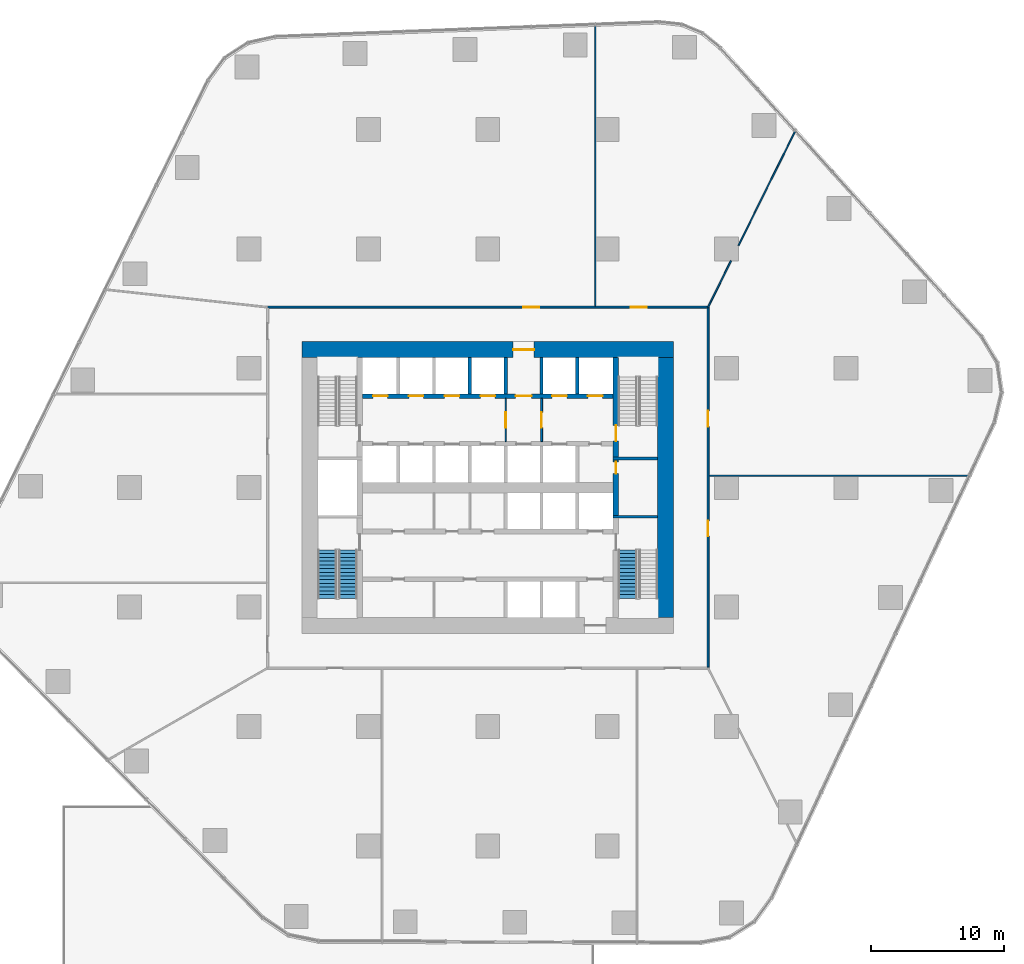
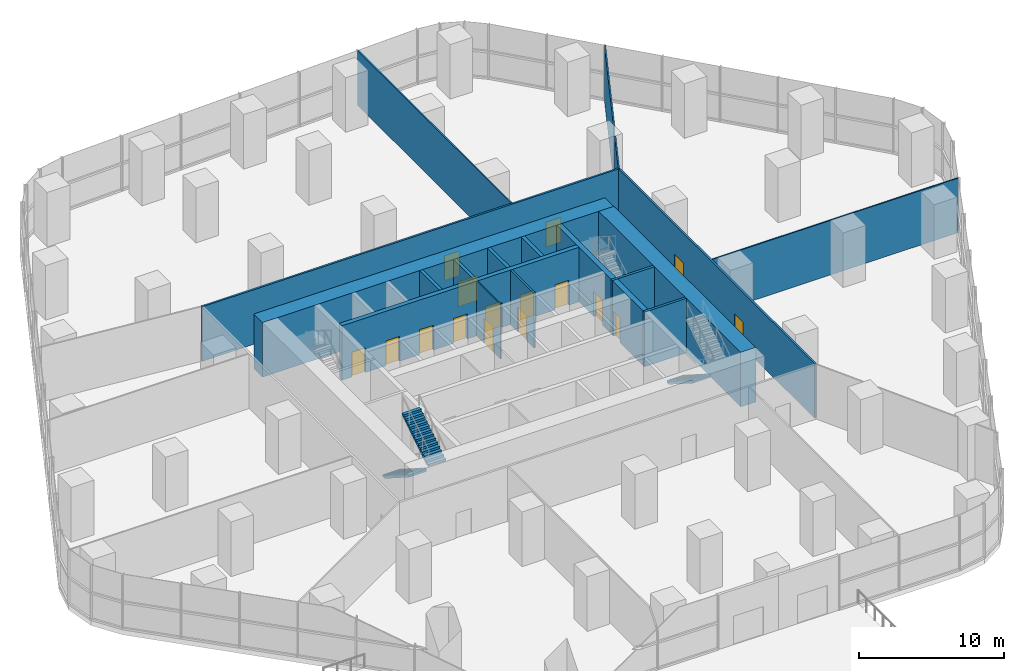
# One storey, part 12 of 15: 19 walls, 16 doors, 3 stair flights, 16 openings, 2 elements without a shape of their own.
"""IFC4 building model written with IfcOpenShell, lengths in metres."""

from ifc_helpers import new_model, si_unit, direction, frame, frame_2d, origin, place, context, subcontext, project, spatial, polyline, rectangle, outline, extrude, material, layer, layer_set, type_object, element, fill, aggregate, save


model = new_model("IFC4")

# Units and contexts
model_context = context("Model", 3, precision=1e-05, world=origin(), true_north=direction((0.0, 1.0)))
body_context = subcontext(model_context, "Body", "Model", "MODEL_VIEW")
ifc_project = project(units=[si_unit("LENGTHUNIT", "METRE"), si_unit("AREAUNIT", "SQUARE_METRE"), si_unit("VOLUMEUNIT", "CUBIC_METRE"), si_unit("PLANEANGLEUNIT", "RADIAN"), si_unit("MASSUNIT", "GRAM", prefix="KILO")], contexts=[model_context])

# Site, building, storey
site_placement = place(None, origin())
site = spatial("IfcSite", under=ifc_project, at=site_placement, CompositionType="ELEMENT")
building_placement = place(site_placement, origin())
building = spatial("IfcBuilding", under=site, at=building_placement, Name="Dongbaek Canopy Tower", CompositionType="ELEMENT")
storey_placement = place(building_placement, frame((0.0, 0.0, 33.0)))
storey = spatial("IfcBuildingStorey", under=building, at=storey_placement, Name="L04", CompositionType="ELEMENT", Elevation=33.0)

# Wall, openings, doors
ifc_material_1 = material(Name="Concrete C60/75", Category="concrete")
ifc_layer_1 = layer(ifc_material_1, 0.35009765625)
ifc_layer_set_1 = layer_set([ifc_layer_1], Name="Core lobby wall 350 Concrete C60/75")
wall_type_1 = type_object("IfcWallType", Name="Core lobby wall 350 Concrete C60/75", PredefinedType="SHEAR", material=ifc_layer_set_1)
wall_1_placement = place(storey_placement, frame((-9.449951171875, 6.89990234375, 0.0), z_axis=(0.0, 0.0, 1.0), x_axis=(1.0, 0.0, 0.0)))
wall_1 = element("IfcWall", 1, at=wall_1_placement, inside=storey, type_object=wall_type_1, Name="Core wall", PredefinedType="SHEAR", context=body_context, shape_type="SweptSolid", body=[
    extrude(rectangle(XDim=18.89990234375, YDim=0.35009765625, at=frame_2d((9.449951171875, 0.0))), origin(), (0.0, 0.0, 1.0), 4.60009765625),
])
opening_1_placement = place(wall_1_placement, frame((0.800048828125, 0.0, 0.0)))
opening_1 = element("IfcOpeningElement", 2, at=opening_1_placement, cuts=wall_1, Name="Opening L04-D012", PredefinedType="OPENING", context=body_context, shape_type="SweptSolid", body=[
    extrude(rectangle(XDim=1.10009765625, YDim=2.10009765625, at=frame_2d((0.550048828125, 1.050048828125))), frame((0.0, 0.18505859375, 0.0), z_axis=(0.0, -1.0, 0.0), x_axis=(1.0, 0.0, 0.0)), (0.0, 0.0, 1.0), 0.3701171875),
])
opening_2_placement = place(wall_1_placement, frame((3.5, 0.0, 0.0)))
opening_2 = element("IfcOpeningElement", 3, at=opening_2_placement, cuts=wall_1, Name="Opening L04-D013", PredefinedType="OPENING", context=body_context, shape_type="SweptSolid", body=[
    extrude(rectangle(XDim=1.10009765625, YDim=2.10009765625, at=frame_2d((0.550048828125, 1.050048828125))), frame((0.0, 0.18505859375, 0.0), z_axis=(0.0, -1.0, 0.0), x_axis=(1.0, 0.0, 0.0)), (0.0, 0.0, 1.0), 0.3701171875),
])
opening_3_placement = place(wall_1_placement, frame((6.199951171875, 0.0, 0.0)))
opening_3 = element("IfcOpeningElement", 4, at=opening_3_placement, cuts=wall_1, Name="Opening L04-D014", PredefinedType="OPENING", context=body_context, shape_type="SweptSolid", body=[
    extrude(rectangle(XDim=1.10009765625, YDim=2.10009765625, at=frame_2d((0.550048828125, 1.050048828125))), frame((0.0, 0.18505859375, 0.0), z_axis=(0.0, -1.0, 0.0), x_axis=(1.0, 0.0, 0.0)), (0.0, 0.0, 1.0), 0.3701171875),
])
opening_4_placement = place(wall_1_placement, frame((8.89990234375, 0.0, 0.0)))
opening_4 = element("IfcOpeningElement", 5, at=opening_4_placement, cuts=wall_1, Name="Opening L04-D015", PredefinedType="OPENING", context=body_context, shape_type="SweptSolid", body=[
    extrude(rectangle(XDim=1.10009765625, YDim=2.10009765625, at=frame_2d((0.550048828125, 1.050048828125))), frame((0.0, 0.18505859375, 0.0), z_axis=(0.0, -1.0, 0.0), x_axis=(1.0, 0.0, 0.0)), (0.0, 0.0, 1.0), 0.3701171875),
])
opening_5_placement = place(wall_1_placement, frame((11.550048828125, 0.0, 0.0)))
opening_5 = element("IfcOpeningElement", 6, at=opening_5_placement, cuts=wall_1, Name="Opening L04-D017", PredefinedType="OPENING", context=body_context, shape_type="SweptSolid", body=[
    extrude(rectangle(XDim=1.199951171875, YDim=2.10009765625, at=frame_2d((0.60009765625, 1.050048828125))), frame((0.0, 0.18505859375, 0.0), z_axis=(0.0, -1.0, 0.0), x_axis=(1.0, 0.0, 0.0)), (0.0, 0.0, 1.0), 0.3701171875),
])
opening_6_placement = place(wall_1_placement, frame((14.300048828125, 0.0, 0.0)))
opening_6 = element("IfcOpeningElement", 7, at=opening_6_placement, cuts=wall_1, Name="Opening L04-D018", PredefinedType="OPENING", context=body_context, shape_type="SweptSolid", body=[
    extrude(rectangle(XDim=1.10009765625, YDim=2.10009765625, at=frame_2d((0.550048828125, 1.050048828125))), frame((0.0, 0.18505859375, 0.0), z_axis=(0.0, -1.0, 0.0), x_axis=(1.0, 0.0, 0.0)), (0.0, 0.0, 1.0), 0.3701171875),
])
opening_7_placement = place(wall_1_placement, frame((17.0, 0.0, 0.0)))
opening_7 = element("IfcOpeningElement", 8, at=opening_7_placement, cuts=wall_1, Name="Opening L04-D019", PredefinedType="OPENING", context=body_context, shape_type="SweptSolid", body=[
    extrude(rectangle(XDim=1.10009765625, YDim=2.10009765625, at=frame_2d((0.550048828125, 1.050048828125))), frame((0.0, 0.18505859375, 0.0), z_axis=(0.0, -1.0, 0.0), x_axis=(1.0, 0.0, 0.0)), (0.0, 0.0, 1.0), 0.3701171875),
])
ifc_material_2 = material(Name="Steel", Category="steel")
door_type_1 = type_object("IfcDoorType", Name="Fire lobby door 1200 x 2100", OperationType="SINGLE_SWING_LEFT", PredefinedType="DOOR", material=ifc_material_2)
door_1_placement = place(opening_5_placement, origin())
door_1 = element("IfcDoor", 9, at=door_1_placement, inside=storey, type_object=door_type_1, Name="Door L04-D017", OperationType="SINGLE_SWING_LEFT", OverallHeight=2.10009765625, OverallWidth=1.199951171875, PredefinedType="DOOR", context=body_context, shape_type="SweptSolid", body=[
    extrude(rectangle(XDim=1.199951171875, YDim=2.10009765625, at=frame_2d((0.60009765625, 1.050048828125))), frame((0.0, 0.02490234375, 0.0), z_axis=(0.0, -1.0, 0.0), x_axis=(1.0, 0.0, 0.0)), (0.0, 0.0, 1.0), 0.050048828125),
])
fill(opening_5, door_1)
ifc_material_3 = material(Name="Stainless steel", Category="steel")
door_type_2 = type_object("IfcDoorType", Name="Lift landing door 1100 x 2100", OperationType="DOUBLE_DOOR_SLIDING", PredefinedType="DOOR", material=ifc_material_3)
door_2_placement = place(opening_1_placement, origin())
door_2 = element("IfcDoor", 10, at=door_2_placement, inside=storey, type_object=door_type_2, Name="Landing door LR1", OperationType="DOUBLE_DOOR_SLIDING", OverallHeight=2.10009765625, OverallWidth=1.10009765625, PredefinedType="DOOR", context=body_context, shape_type="SweptSolid", body=[
    extrude(rectangle(XDim=1.10009765625, YDim=2.10009765625, at=frame_2d((0.550048828125, 1.050048828125))), frame((0.0, 0.02490234375, 0.0), z_axis=(0.0, -1.0, 0.0), x_axis=(1.0, 0.0, 0.0)), (0.0, 0.0, 1.0), 0.050048828125),
])
fill(opening_1, door_2)
door_3_placement = place(opening_2_placement, origin())
door_3 = element("IfcDoor", 11, at=door_3_placement, inside=storey, type_object=door_type_2, Name="Landing door LR2", OperationType="DOUBLE_DOOR_SLIDING", OverallHeight=2.10009765625, OverallWidth=1.10009765625, PredefinedType="DOOR", context=body_context, shape_type="SweptSolid", body=[
    extrude(rectangle(XDim=1.10009765625, YDim=2.10009765625, at=frame_2d((0.550048828125, 1.050048828125))), frame((0.0, 0.02490234375, 0.0), z_axis=(0.0, -1.0, 0.0), x_axis=(1.0, 0.0, 0.0)), (0.0, 0.0, 1.0), 0.050048828125),
])
fill(opening_2, door_3)
door_4_placement = place(opening_3_placement, origin())
door_4 = element("IfcDoor", 12, at=door_4_placement, inside=storey, type_object=door_type_2, Name="Landing door LR3", OperationType="DOUBLE_DOOR_SLIDING", OverallHeight=2.10009765625, OverallWidth=1.10009765625, PredefinedType="DOOR", context=body_context, shape_type="SweptSolid", body=[
    extrude(rectangle(XDim=1.10009765625, YDim=2.10009765625, at=frame_2d((0.550048828125, 1.050048828125))), frame((0.0, 0.02490234375, 0.0), z_axis=(0.0, -1.0, 0.0), x_axis=(1.0, 0.0, 0.0)), (0.0, 0.0, 1.0), 0.050048828125),
])
fill(opening_3, door_4)
door_5_placement = place(opening_4_placement, origin())
door_5 = element("IfcDoor", 13, at=door_5_placement, inside=storey, type_object=door_type_2, Name="Landing door LR4", OperationType="DOUBLE_DOOR_SLIDING", OverallHeight=2.10009765625, OverallWidth=1.10009765625, PredefinedType="DOOR", context=body_context, shape_type="SweptSolid", body=[
    extrude(rectangle(XDim=1.10009765625, YDim=2.10009765625, at=frame_2d((0.550048828125, 1.050048828125))), frame((0.0, 0.02490234375, 0.0), z_axis=(0.0, -1.0, 0.0), x_axis=(1.0, 0.0, 0.0)), (0.0, 0.0, 1.0), 0.050048828125),
])
fill(opening_4, door_5)
door_6_placement = place(opening_6_placement, origin())
door_6 = element("IfcDoor", 14, at=door_6_placement, inside=storey, type_object=door_type_2, Name="Landing door FF1", OperationType="DOUBLE_DOOR_SLIDING", OverallHeight=2.10009765625, OverallWidth=1.10009765625, PredefinedType="DOOR", context=body_context, shape_type="SweptSolid", body=[
    extrude(rectangle(XDim=1.10009765625, YDim=2.10009765625, at=frame_2d((0.550048828125, 1.050048828125))), frame((0.0, 0.02490234375, 0.0), z_axis=(0.0, -1.0, 0.0), x_axis=(1.0, 0.0, 0.0)), (0.0, 0.0, 1.0), 0.050048828125),
])
fill(opening_6, door_6)
door_7_placement = place(opening_7_placement, origin())
door_7 = element("IfcDoor", 15, at=door_7_placement, inside=storey, type_object=door_type_2, Name="Landing door FF2", OperationType="DOUBLE_DOOR_SLIDING", OverallHeight=2.10009765625, OverallWidth=1.10009765625, PredefinedType="DOOR", context=body_context, shape_type="SweptSolid", body=[
    extrude(rectangle(XDim=1.10009765625, YDim=2.10009765625, at=frame_2d((0.550048828125, 1.050048828125))), frame((0.0, 0.02490234375, 0.0), z_axis=(0.0, -1.0, 0.0), x_axis=(1.0, 0.0, 0.0)), (0.0, 0.0, 1.0), 0.050048828125),
])
fill(opening_7, door_7)

# Wall, opening, door
ifc_material_4 = material(Name="Concrete C60/75", Category="concrete")
ifc_layer_2 = layer(ifc_material_4, 1.199951171875)
ifc_layer_set_2 = layer_set([ifc_layer_2], Name="Core outer wall 1200 Concrete C60/75")
wall_type_2 = type_object("IfcWallType", Name="Core outer wall 1200 Concrete C60/75", PredefinedType="SHEAR", material=ifc_layer_set_2)
wall_2_placement = place(storey_placement, frame((-14.0, 10.39990234375, 0.0), z_axis=(0.0, 0.0, 1.0), x_axis=(1.0, 0.0, 0.0)))
wall_2 = element("IfcWall", 16, at=wall_2_placement, inside=storey, type_object=wall_type_2, Name="Core wall", PredefinedType="SHEAR", context=body_context, shape_type="SweptSolid", body=[
    extrude(rectangle(XDim=28.0, YDim=1.199951171875, at=frame_2d((14.0, 0.0))), origin(), (0.0, 0.0, 1.0), 4.60009765625),
])
opening_8_placement = place(wall_2_placement, frame((15.89990234375, 0.0, 0.0)))
opening_8 = element("IfcOpeningElement", 17, at=opening_8_placement, cuts=wall_2, Name="Opening L04-D016", PredefinedType="OPENING", context=body_context, shape_type="SweptSolid", body=[
    extrude(rectangle(XDim=1.60009765625, YDim=2.10009765625, at=frame_2d((0.800048828125, 1.050048828125))), frame((0.0, 0.60986328125, 0.0), z_axis=(0.0, -1.0, 0.0), x_axis=(1.0, 0.0, 0.0)), (0.0, 0.0, 1.0), 1.219970703125),
])
ifc_material_5 = material(Name="Steel", Category="steel")
door_type_3 = type_object("IfcDoorType", Name="Core exit door 1600 x 2100", OperationType="DOUBLE_DOOR_SINGLE_SWING", PredefinedType="DOOR", material=ifc_material_5)
door_8_placement = place(opening_8_placement, origin())
door_8 = element("IfcDoor", 18, at=door_8_placement, inside=storey, type_object=door_type_3, Name="Core exit door", OperationType="DOUBLE_DOOR_SINGLE_SWING", OverallHeight=2.10009765625, OverallWidth=1.60009765625, PredefinedType="DOOR", context=body_context, shape_type="SweptSolid", body=[
    extrude(rectangle(XDim=1.60009765625, YDim=2.10009765625, at=frame_2d((0.800048828125, 1.050048828125))), frame((0.0, 0.02490234375, 0.0), z_axis=(0.0, -1.0, 0.0), x_axis=(1.0, 0.0, 0.0)), (0.0, 0.0, 1.0), 0.050048828125),
])
fill(opening_8, door_8)

# Wall
wall_3_placement = place(storey_placement, frame((13.39990234375, 9.800048828125, 0.0), z_axis=(0.0, 0.0, 1.0), x_axis=(0.0, -1.0, 0.0)))
element("IfcWall", 19, at=wall_3_placement, inside=storey, type_object=wall_type_2, Name="Core wall", PredefinedType="SHEAR", context=body_context, shape_type="SweptSolid", body=[
    extrude(rectangle(XDim=19.60009765625, YDim=1.199951171875, at=frame_2d((9.800048828125, 0.0))), origin(), (0.0, 0.0, 1.0), 4.60009765625),
])

# Wall, openings, doors
ifc_material_6 = material(Name="Gypsum board partition, steel stud, 2 x 15 mm fire board", Category="steel")
ifc_layer_3 = layer(ifc_material_6, 0.14990234375)
ifc_layer_set_3 = layer_set([ifc_layer_3], Name="Fire-rated partition 150 gypsum board")
wall_type_3 = type_object("IfcWallType", Name="Fire-rated partition 150 gypsum board", PredefinedType="PARTITIONING", material=ifc_layer_set_3)
wall_4_placement = place(storey_placement, frame((-16.675048828125, 13.60009765625, 0.0), z_axis=(0.0, 0.0, 1.0), x_axis=(1.0, 0.0, 0.0)))
wall_4 = element("IfcWall", 20, at=wall_4_placement, inside=storey, type_object=wall_type_3, Name="Corridor partition", PredefinedType="PARTITIONING", context=body_context, shape_type="SweptSolid", body=[
    extrude(rectangle(XDim=33.35009765625, YDim=0.14990234375, at=frame_2d((16.675048828125, 0.0))), origin(), (0.0, 0.0, 1.0), 4.60009765625),
])
opening_9_placement = place(wall_4_placement, frame((27.447021484375, 0.0, 0.0)))
opening_9 = element("IfcOpeningElement", 21, at=opening_9_placement, cuts=wall_4, Name="Opening L04-D008", PredefinedType="OPENING", context=body_context, shape_type="SweptSolid", body=[
    extrude(rectangle(XDim=1.199951171875, YDim=2.10009765625, at=frame_2d((0.60009765625, 1.050048828125))), frame((0.0, 0.0849609375, 0.0), z_axis=(0.0, -1.0, 0.0), x_axis=(1.0, 0.0, 0.0)), (0.0, 0.0, 1.0), 0.169921875),
])
opening_10_placement = place(wall_4_placement, frame((19.345947265625, 0.0, 0.0)))
opening_10 = element("IfcOpeningElement", 22, at=opening_10_placement, cuts=wall_4, Name="Opening L04-D009", PredefinedType="OPENING", context=body_context, shape_type="SweptSolid", body=[
    extrude(rectangle(XDim=1.199951171875, YDim=2.10009765625, at=frame_2d((0.60009765625, 1.050048828125))), frame((0.0, 0.0849609375, 0.0), z_axis=(0.0, -1.0, 0.0), x_axis=(1.0, 0.0, 0.0)), (0.0, 0.0, 1.0), 0.169921875),
])
ifc_material_7 = material(Name="Timber veneered door leaf", Category="wood")
door_type_4 = type_object("IfcDoorType", Name="Room door 1200 x 2100", OperationType="SINGLE_SWING_LEFT", PredefinedType="DOOR", material=ifc_material_7)
door_9_placement = place(opening_9_placement, origin())
door_9 = element("IfcDoor", 23, at=door_9_placement, inside=storey, type_object=door_type_4, Name="Door L04-D008", OperationType="SINGLE_SWING_LEFT", OverallHeight=2.10009765625, OverallWidth=1.199951171875, PredefinedType="DOOR", context=body_context, shape_type="SweptSolid", body=[
    extrude(rectangle(XDim=1.199951171875, YDim=2.10009765625, at=frame_2d((0.60009765625, 1.050048828125))), frame((0.0, 0.02490234375, 0.0), z_axis=(0.0, -1.0, 0.0), x_axis=(1.0, 0.0, 0.0)), (0.0, 0.0, 1.0), 0.050048828125),
])
fill(opening_9, door_9)
door_10_placement = place(opening_10_placement, origin())
door_10 = element("IfcDoor", 24, at=door_10_placement, inside=storey, type_object=door_type_4, Name="Door L04-D009", OperationType="SINGLE_SWING_RIGHT", OverallHeight=2.10009765625, OverallWidth=1.199951171875, PredefinedType="DOOR", context=body_context, shape_type="SweptSolid", body=[
    extrude(rectangle(XDim=1.199951171875, YDim=2.10009765625, at=frame_2d((0.60009765625, 1.050048828125))), frame((0.0, 0.02490234375, 0.0), z_axis=(0.0, -1.0, 0.0), x_axis=(1.0, 0.0, 0.0)), (0.0, 0.0, 1.0), 0.050048828125),
])
fill(opening_10, door_10)

wall_5_placement = place(storey_placement, frame((16.60009765625, 13.52490234375, 0.0), z_axis=(0.0, 0.0, 1.0), x_axis=(0.0, -1.0, 0.0)))
wall_5 = element("IfcWall", 25, at=wall_5_placement, inside=storey, type_object=wall_type_3, Name="Corridor partition", PredefinedType="PARTITIONING", context=body_context, shape_type="SweptSolid", body=[
    extrude(rectangle(XDim=27.0498046875, YDim=0.14990234375, at=frame_2d((13.52490234375, 0.0))), origin(), (0.0, 0.0, 1.0), 4.60009765625),
])
opening_11_placement = place(wall_5_placement, frame((16.005615234375, 0.0, 0.0)))
opening_11 = element("IfcOpeningElement", 26, at=opening_11_placement, cuts=wall_5, Name="Opening L04-D006", PredefinedType="OPENING", context=body_context, shape_type="SweptSolid", body=[
    extrude(rectangle(XDim=1.199951171875, YDim=2.10009765625, at=frame_2d((0.60009765625, 1.050048828125))), frame((0.0, 0.0849609375, 0.0), z_axis=(0.0, -1.0, 0.0), x_axis=(1.0, 0.0, 0.0)), (0.0, 0.0, 1.0), 0.169921875),
])
opening_12_placement = place(wall_5_placement, frame((7.745361328125, 0.0, 0.0)))
opening_12 = element("IfcOpeningElement", 27, at=opening_12_placement, cuts=wall_5, Name="Opening L04-D007", PredefinedType="OPENING", context=body_context, shape_type="SweptSolid", body=[
    extrude(rectangle(XDim=1.199951171875, YDim=2.10009765625, at=frame_2d((0.60009765625, 1.050048828125))), frame((0.0, 0.0849609375, 0.0), z_axis=(0.0, -1.0, 0.0), x_axis=(1.0, 0.0, 0.0)), (0.0, 0.0, 1.0), 0.169921875),
])
door_11_placement = place(opening_11_placement, origin())
door_11 = element("IfcDoor", 28, at=door_11_placement, inside=storey, type_object=door_type_4, Name="Door L04-D006", OperationType="SINGLE_SWING_LEFT", OverallHeight=2.10009765625, OverallWidth=1.199951171875, PredefinedType="DOOR", context=body_context, shape_type="SweptSolid", body=[
    extrude(rectangle(XDim=1.199951171875, YDim=2.10009765625, at=frame_2d((0.60009765625, 1.050048828125))), frame((0.0, 0.02490234375, 0.0), z_axis=(0.0, -1.0, 0.0), x_axis=(1.0, 0.0, 0.0)), (0.0, 0.0, 1.0), 0.050048828125),
])
fill(opening_11, door_11)
door_12_placement = place(opening_12_placement, origin())
door_12 = element("IfcDoor", 29, at=door_12_placement, inside=storey, type_object=door_type_4, Name="Door L04-D007", OperationType="SINGLE_SWING_RIGHT", OverallHeight=2.10009765625, OverallWidth=1.199951171875, PredefinedType="DOOR", context=body_context, shape_type="SweptSolid", body=[
    extrude(rectangle(XDim=1.199951171875, YDim=2.10009765625, at=frame_2d((0.60009765625, 1.050048828125))), frame((0.0, 0.02490234375, 0.0), z_axis=(0.0, -1.0, 0.0), x_axis=(1.0, 0.0, 0.0)), (0.0, 0.0, 1.0), 0.050048828125),
])
fill(opening_12, door_12)

# Wall, opening, door
wall_6_placement = place(storey_placement, frame((4.050048828125, 6.72509765625, 0.0), z_axis=(0.0, 0.0, 1.0), x_axis=(0.0, -1.0, 0.0)))
wall_6 = element("IfcWall", 30, at=wall_6_placement, inside=storey, type_object=wall_type_3, Name="Fire lobby partition", PredefinedType="PARTITIONING", context=body_context, shape_type="SweptSolid", body=[
    extrude(rectangle(XDim=3.25, YDim=0.14990234375, at=frame_2d((1.625, 0.0))), origin(), (0.0, 0.0, 1.0), 4.60009765625),
])
opening_13_placement = place(wall_6_placement, frame((1.02490234375, 0.0, 0.0)))
opening_13 = element("IfcOpeningElement", 31, at=opening_13_placement, cuts=wall_6, Name="Opening L04-D040", PredefinedType="OPENING", context=body_context, shape_type="SweptSolid", body=[
    extrude(rectangle(XDim=1.199951171875, YDim=2.10009765625, at=frame_2d((0.60009765625, 1.050048828125))), frame((0.0, 0.0849609375, 0.0), z_axis=(0.0, -1.0, 0.0), x_axis=(1.0, 0.0, 0.0)), (0.0, 0.0, 1.0), 0.169921875),
])
door_13_placement = place(opening_13_placement, origin())
door_13 = element("IfcDoor", 32, at=door_13_placement, inside=storey, type_object=door_type_1, Name="Door L04-D040", OperationType="SINGLE_SWING_RIGHT", OverallHeight=2.10009765625, OverallWidth=1.199951171875, PredefinedType="DOOR", context=body_context, shape_type="SweptSolid", body=[
    extrude(rectangle(XDim=1.199951171875, YDim=2.10009765625, at=frame_2d((0.60009765625, 1.050048828125))), frame((0.0, 0.02490234375, 0.0), z_axis=(0.0, -1.0, 0.0), x_axis=(1.0, 0.0, 0.0)), (0.0, 0.0, 1.0), 0.050048828125),
])
fill(opening_13, door_13)

# Walls
ifc_material_8 = material(Name="Concrete C40/50", Category="concrete")
ifc_layer_4 = layer(ifc_material_8, 0.25)
ifc_layer_set_4 = layer_set([ifc_layer_4], Name="Lift shaft wall 250 Concrete C40/50")
wall_type_4 = type_object("IfcWallType", Name="Lift shaft wall 250 Concrete C40/50", PredefinedType="SOLIDWALL", material=ifc_layer_set_4)
for number, where, z_axis, x_axis, name in (
    (33, (6.75, 7.074951171875, 0.0), (0.0, 0.0, 1.0), (0.0, 1.0, 0.0), "Lift shaft wall"),
    (34, (4.050048828125, 7.074951171875, 0.0), (0.0, 0.0, 1.0), (0.0, 1.0, 0.0), "Lift shaft wall"),
    (35, (1.35009765625, 7.074951171875, 0.0), (0.0, 0.0, 1.0), (0.0, 1.0, 0.0), "Lift shaft wall"),
    (36, (-1.35009765625, 7.074951171875, 0.0), (0.0, 0.0, 1.0), (0.0, 1.0, 0.0), "Lift shaft wall"),
):
    element("IfcWall", number, at=place(storey_placement, frame(where, z_axis=z_axis, x_axis=x_axis)), inside=storey, type_object=wall_type_4, Name=name, PredefinedType="SOLIDWALL", context=body_context, shape_type="SweptSolid", body=[
        extrude(rectangle(XDim=2.72509765625, YDim=0.25, at=frame_2d((1.362548828125, 0.0))), origin(), (0.0, 0.0, 1.0), 4.60009765625),
    ])
ifc_material_9 = material(Name="Gypsum board partition, steel stud, 2 x 12.5 mm board", Category="steel")
ifc_layer_5 = layer(ifc_material_9, 0.10009765625)
ifc_layer_set_5 = layer_set([ifc_layer_5], Name="Partition 100 gypsum board")
wall_type_5 = type_object("IfcWallType", Name="Partition 100 gypsum board", PredefinedType="PARTITIONING", material=ifc_layer_set_5)
wall_7_placement = place(storey_placement, frame((16.675048828125, 0.902099609375, 0.0), z_axis=(0.0, 0.0, 1.0), x_axis=(1.0, 0.0, 0.0)))
element("IfcWall", 37, at=wall_7_placement, inside=storey, type_object=wall_type_5, Name="Partition", PredefinedType="PARTITIONING", context=body_context, shape_type="SweptSolid", body=[
    extrude(rectangle(XDim=19.62109375, YDim=0.10009765625, at=frame_2d((9.810546875, 0.0))), origin(), (0.0, 0.0, 1.0), 4.60009765625),
])
wall_8_placement = place(storey_placement, frame((16.599609375, 13.60009765625, 0.0), z_axis=(0.0, 0.0, 1.0), x_axis=(0.443207247844, 0.896419173969, 0.0)))
element("IfcWall", 38, at=wall_8_placement, inside=storey, type_object=wall_type_5, Name="Partition", PredefinedType="PARTITIONING", context=body_context, shape_type="SweptSolid", body=[
    extrude(rectangle(XDim=3.904541015625, YDim=0.10009765625, at=frame_2d((1.9521484375, 0.0))), origin(), (0.0, 0.0, 1.0), 4.60009765625),
])
wall_9_placement = place(storey_placement, frame((18.89990234375, 18.252685546875, 0.0), z_axis=(0.0, 0.0, 1.0), x_axis=(0.443225904803, 0.89640994936, 0.0)))
element("IfcWall", 39, at=wall_9_placement, inside=storey, type_object=wall_type_5, Name="Partition", PredefinedType="PARTITIONING", context=body_context, shape_type="SweptSolid", body=[
    extrude(rectangle(XDim=9.635009765625, YDim=0.10009765625, at=frame_2d((4.8173828125, 0.0))), origin(), (0.0, 0.0, 1.0), 4.60009765625),
])
wall_10_placement = place(storey_placement, frame((8.094970703125, 13.675048828125, 0.0), z_axis=(0.0, 0.0, 1.0), x_axis=(0.0, 1.0, 0.0)))
element("IfcWall", 40, at=wall_10_placement, inside=storey, type_object=wall_type_5, Name="Partition", PredefinedType="PARTITIONING", context=body_context, shape_type="SweptSolid", body=[
    extrude(rectangle(XDim=21.212646484375, YDim=0.10009765625, at=frame_2d((10.6064453125, 0.0))), origin(), (0.0, 0.0, 1.0), 4.60009765625),
])

# Wall, opening, door
wall_11_placement = place(storey_placement, frame((1.35009765625, 6.72509765625, 0.0), z_axis=(0.0, 0.0, 1.0), x_axis=(0.0, -1.0, 0.0)))
wall_11 = element("IfcWall", 41, at=wall_11_placement, inside=storey, type_object=wall_type_5, Name="Core partition", PredefinedType="PARTITIONING", context=body_context, shape_type="SweptSolid", body=[
    extrude(rectangle(XDim=3.25, YDim=0.10009765625, at=frame_2d((1.625, 0.0))), origin(), (0.0, 0.0, 1.0), 4.60009765625),
])
opening_14_placement = place(wall_11_placement, frame((1.02490234375, 0.0, 0.0)))
opening_14 = element("IfcOpeningElement", 42, at=opening_14_placement, cuts=wall_11, Name="Opening L04-D039", PredefinedType="OPENING", context=body_context, shape_type="SweptSolid", body=[
    extrude(rectangle(XDim=1.199951171875, YDim=2.10009765625, at=frame_2d((0.60009765625, 1.050048828125))), frame((0.0, 0.06005859375, 0.0), z_axis=(0.0, -1.0, 0.0), x_axis=(1.0, 0.0, 0.0)), (0.0, 0.0, 1.0), 0.1201171875),
])
door_14_placement = place(opening_14_placement, origin())
door_14 = element("IfcDoor", 43, at=door_14_placement, inside=storey, type_object=door_type_1, Name="Door L04-D039", OperationType="SINGLE_SWING_LEFT", OverallHeight=2.10009765625, OverallWidth=1.199951171875, PredefinedType="DOOR", context=body_context, shape_type="SweptSolid", body=[
    extrude(rectangle(XDim=1.199951171875, YDim=2.10009765625, at=frame_2d((0.60009765625, 1.050048828125))), frame((0.0, 0.02490234375, 0.0), z_axis=(0.0, -1.0, 0.0), x_axis=(1.0, 0.0, 0.0)), (0.0, 0.0, 1.0), 0.050048828125),
])
fill(opening_14, door_14)

# Walls
ifc_material_10 = material(Name="Concrete C60/75", Category="concrete")
ifc_layer_6 = layer(ifc_material_10, 0.199951171875)
ifc_layer_set_6 = layer_set([ifc_layer_6], Name="Riser wall 200 Concrete C60/75")
wall_type_6 = type_object("IfcWallType", Name="Riser wall 200 Concrete C60/75", PredefinedType="SHEAR", material=ifc_layer_set_6)
for number, where, z_axis, x_axis, name in (
    (44, (9.449951171875, 2.199951171875, 0.0), (0.0, 0.0, 1.0), (1.0, 0.0, 0.0), "Riser wall"),
    (45, (9.449951171875, -2.199951171875, 0.0), (0.0, 0.0, 1.0), (1.0, 0.0, 0.0), "Riser wall"),
):
    element("IfcWall", number, at=place(storey_placement, frame(where, z_axis=z_axis, x_axis=x_axis)), inside=storey, type_object=wall_type_6, Name=name, PredefinedType="SHEAR", context=body_context, shape_type="SweptSolid", body=[
        extrude(rectangle(XDim=3.35009765625, YDim=0.199951171875, at=frame_2d((1.675048828125, 0.0))), origin(), (0.0, 0.0, 1.0), 4.60009765625),
    ])

# Wall, opening, door
ifc_material_11 = material(Name="Concrete C60/75", Category="concrete")
ifc_layer_7 = layer(ifc_material_11, 0.39990234375)
ifc_layer_set_7 = layer_set([ifc_layer_7], Name="Stair wall 400 Concrete C60/75")
wall_type_7 = type_object("IfcWallType", Name="Stair wall 400 Concrete C60/75", PredefinedType="SHEAR", material=ifc_layer_set_7)
wall_12_placement = place(storey_placement, frame((9.64990234375, 2.10009765625, 0.0), z_axis=(0.0, 0.0, 1.0), x_axis=(0.0, -1.0, 0.0)))
wall_12 = element("IfcWall", 46, at=wall_12_placement, inside=storey, type_object=wall_type_7, Name="Stair wall", PredefinedType="SHEAR", context=body_context, shape_type="SweptSolid", body=[
    extrude(rectangle(XDim=4.2001953125, YDim=0.39990234375, at=frame_2d((2.10009765625, 0.0))), origin(), (0.0, 0.0, 1.0), 4.60009765625),
])
opening_15_placement = place(wall_12_placement, frame((0.14990234375, 0.0, 0.0)))
opening_15 = element("IfcOpeningElement", 47, at=opening_15_placement, cuts=wall_12, Name="Opening L04-D011", PredefinedType="OPENING", context=body_context, shape_type="SweptSolid", body=[
    extrude(rectangle(XDim=0.89990234375, YDim=2.10009765625, at=frame_2d((0.449951171875, 1.050048828125))), frame((0.0, 0.2099609375, 0.0), z_axis=(0.0, -1.0, 0.0), x_axis=(1.0, 0.0, 0.0)), (0.0, 0.0, 1.0), 0.419921875),
])
ifc_material_12 = material(Name="Steel", Category="steel")
door_type_5 = type_object("IfcDoorType", Name="Core room door 900 x 2100", OperationType="SINGLE_SWING_LEFT", PredefinedType="DOOR", material=ifc_material_12)
door_15_placement = place(opening_15_placement, origin())
door_15 = element("IfcDoor", 48, at=door_15_placement, inside=storey, type_object=door_type_5, Name="Door L04-D011", OperationType="SINGLE_SWING_RIGHT", OverallHeight=2.10009765625, OverallWidth=0.89990234375, PredefinedType="DOOR", context=body_context, shape_type="SweptSolid", body=[
    extrude(rectangle(XDim=0.89990234375, YDim=2.10009765625, at=frame_2d((0.449951171875, 1.050048828125))), frame((0.0, 0.02490234375, 0.0), z_axis=(0.0, -1.0, 0.0), x_axis=(1.0, 0.0, 0.0)), (0.0, 0.0, 1.0), 0.050048828125),
])
fill(opening_15, door_15)

wall_13_placement = place(storey_placement, frame((9.64990234375, 9.800048828125, 0.0), z_axis=(0.0, 0.0, 1.0), x_axis=(0.0, -1.0, 0.0)))
wall_13 = element("IfcWall", 49, at=wall_13_placement, inside=storey, type_object=wall_type_7, Name="Stair wall", PredefinedType="SHEAR", context=body_context, shape_type="SweptSolid", body=[
    extrude(rectangle(XDim=7.5, YDim=0.39990234375, at=frame_2d((3.75, 0.0))), origin(), (0.0, 0.0, 1.0), 4.60009765625),
])
opening_16_placement = place(wall_13_placement, frame((5.10009765625, 0.0, 0.0)))
opening_16 = element("IfcOpeningElement", 50, at=opening_16_placement, cuts=wall_13, Name="Opening L04-D035", PredefinedType="OPENING", context=body_context, shape_type="SweptSolid", body=[
    extrude(rectangle(XDim=1.199951171875, YDim=2.10009765625, at=frame_2d((0.60009765625, 1.050048828125))), frame((0.0, 0.2099609375, 0.0), z_axis=(0.0, -1.0, 0.0), x_axis=(1.0, 0.0, 0.0)), (0.0, 0.0, 1.0), 0.419921875),
])
ifc_material_13 = material(Name="Steel", Category="steel")
door_type_6 = type_object("IfcDoorType", Name="Stair door 1200 x 2100", OperationType="SINGLE_SWING_LEFT", PredefinedType="DOOR", material=ifc_material_13)
door_16_placement = place(opening_16_placement, origin())
door_16 = element("IfcDoor", 51, at=door_16_placement, inside=storey, type_object=door_type_6, Name="Stair A door", OperationType="SINGLE_SWING_LEFT", OverallHeight=2.10009765625, OverallWidth=1.199951171875, PredefinedType="DOOR", context=body_context, shape_type="SweptSolid", body=[
    extrude(rectangle(XDim=1.199951171875, YDim=2.10009765625, at=frame_2d((0.60009765625, 1.050048828125))), frame((0.0, 0.02490234375, 0.0), z_axis=(0.0, -1.0, 0.0), x_axis=(1.0, 0.0, 0.0)), (0.0, 0.0, 1.0), 0.050048828125),
])
fill(opening_16, door_16)

# Stair, stair flight
ifc_material_14 = material(Name="Concrete C40/50", Category="concrete")
stair_type = type_object("IfcStairType", Name="Core exit stair", PredefinedType="HALF_TURN_STAIR", material=ifc_material_14)
stair_1_placement = place(storey_placement, origin())
stair_1 = element("IfcStair", 52, at=stair_1_placement, inside=storey, type_object=stair_type, Name="L04 exit stair B", PredefinedType="HALF_TURN_STAIR")
ifc_material_15 = material(Name="Concrete C40/50", Category="concrete")
ifc_layer_8 = layer(ifc_material_15, 0.14990234375)
ifc_layer_set_8 = layer_set([ifc_layer_8], Name="Core stair flight 150 waist")
stair_flight_type = type_object("IfcStairFlightType", Name="Core stair flight 150 waist", PredefinedType="STRAIGHT", material=ifc_layer_set_8)
stair_flight_1_placement = place(storey_placement, frame((10.550048828125, -4.699951171875, 0.0), z_axis=(0.0, 0.0, 1.0), x_axis=(0.0, -1.0, 0.0)))
stair_flight_1 = element("IfcStairFlight", 53, at=stair_flight_1_placement, type_object=stair_flight_type, Name="ST-B flight 1", NumberOfRisers=14, NumberOfTreads=13, PredefinedType="STRAIGHT", RiserHeight=0.178571429, TreadLength=0.28, context=body_context, shape_type="SweptSolid", body=[
    extrude(outline(polyline([(0.0, 0.0), (0.0, 0.178466796875), (0.280029296875, 0.178466796875), (0.280029296875, 0.357177734375), (0.56005859375, 0.357177734375), (0.56005859375, 0.53564453125), (0.840087890625, 0.53564453125), (0.840087890625, 0.71435546875), (1.1201171875, 0.71435546875), (1.1201171875, 0.892822265625), (1.39990234375, 0.892822265625), (1.39990234375, 1.071533203125), (1.679931640625, 1.071533203125), (1.679931640625, 1.25), (1.9599609375, 1.25), (1.9599609375, 1.428466796875), (2.239990234375, 1.428466796875), (2.239990234375, 1.607177734375), (2.52001953125, 1.607177734375), (2.52001953125, 1.78564453125), (2.800048828125, 1.78564453125), (2.800048828125, 1.96435546875), (3.080078125, 1.96435546875), (3.080078125, 2.142822265625), (3.360107421875, 2.142822265625), (3.360107421875, 2.321533203125), (3.639892578125, 2.321533203125), (3.639892578125, 2.5), (3.639892578125, 2.1435546875), (0.27880859375, 0.0), (0.0, 0.0)])), frame((0.0, 0.699951171875, 0.0), z_axis=(0.0, -1.0, 0.0), x_axis=(1.0, 0.0, 0.0)), (0.0, 0.0, 1.0), 1.39990234375),
])
aggregate(stair_1, [stair_flight_1])

# Stair, stair flights
stair_2_placement = place(storey_placement, origin())
stair_2 = element("IfcStair", 54, at=stair_2_placement, inside=storey, type_object=stair_type, Name="L04 exit stair D", PredefinedType="HALF_TURN_STAIR")
stair_flight_2_placement = place(storey_placement, frame((-12.10009765625, -4.699951171875, 0.0), z_axis=(0.0, 0.0, 1.0), x_axis=(0.0, -1.0, 0.0)))
stair_flight_2 = element("IfcStairFlight", 55, at=stair_flight_2_placement, type_object=stair_flight_type, Name="ST-D flight 1", NumberOfRisers=14, NumberOfTreads=13, PredefinedType="STRAIGHT", RiserHeight=0.178571429, TreadLength=0.28, context=body_context, shape_type="SweptSolid", body=[
    extrude(outline(polyline([(0.0, 0.0), (0.0, 0.178466796875), (0.280029296875, 0.178466796875), (0.280029296875, 0.357177734375), (0.56005859375, 0.357177734375), (0.56005859375, 0.53564453125), (0.840087890625, 0.53564453125), (0.840087890625, 0.71435546875), (1.1201171875, 0.71435546875), (1.1201171875, 0.892822265625), (1.39990234375, 0.892822265625), (1.39990234375, 1.071533203125), (1.679931640625, 1.071533203125), (1.679931640625, 1.25), (1.9599609375, 1.25), (1.9599609375, 1.428466796875), (2.239990234375, 1.428466796875), (2.239990234375, 1.607177734375), (2.52001953125, 1.607177734375), (2.52001953125, 1.78564453125), (2.800048828125, 1.78564453125), (2.800048828125, 1.96435546875), (3.080078125, 1.96435546875), (3.080078125, 2.142822265625), (3.360107421875, 2.142822265625), (3.360107421875, 2.321533203125), (3.639892578125, 2.321533203125), (3.639892578125, 2.5), (3.639892578125, 2.1435546875), (0.27880859375, 0.0), (0.0, 0.0)])), frame((0.0, 0.699951171875, 0.0), z_axis=(0.0, -1.0, 0.0), x_axis=(1.0, 0.0, 0.0)), (0.0, 0.0, 1.0), 1.39990234375),
])
stair_flight_3_placement = place(storey_placement, frame((-10.550048828125, -8.340087890625, 2.5), z_axis=(0.0, 0.0, 1.0), x_axis=(0.0, 1.0, 0.0)))
stair_flight_3 = element("IfcStairFlight", 56, at=stair_flight_3_placement, type_object=stair_flight_type, Name="ST-D flight 2", NumberOfRisers=14, NumberOfTreads=13, PredefinedType="STRAIGHT", RiserHeight=0.178571429, TreadLength=0.28, context=body_context, shape_type="SweptSolid", body=[
    extrude(outline(polyline([(0.0, 0.0), (0.0, 0.178466796875), (0.280029296875, 0.178466796875), (0.280029296875, 0.357177734375), (0.56005859375, 0.357177734375), (0.56005859375, 0.53564453125), (0.840087890625, 0.53564453125), (0.840087890625, 0.71435546875), (1.1201171875, 0.71435546875), (1.1201171875, 0.892822265625), (1.39990234375, 0.892822265625), (1.39990234375, 1.071533203125), (1.679931640625, 1.071533203125), (1.679931640625, 1.25), (1.9599609375, 1.25), (1.9599609375, 1.428466796875), (2.239990234375, 1.428466796875), (2.239990234375, 1.607177734375), (2.52001953125, 1.607177734375), (2.52001953125, 1.78564453125), (2.800048828125, 1.78564453125), (2.800048828125, 1.96435546875), (3.080078125, 1.96435546875), (3.080078125, 2.142822265625), (3.360107421875, 2.142822265625), (3.360107421875, 2.321533203125), (3.639892578125, 2.321533203125), (3.639892578125, 2.5), (3.639892578125, 2.1435546875), (0.27880859375, 0.0), (0.0, 0.0)])), frame((0.0, 0.699951171875, 0.0), z_axis=(0.0, -1.0, 0.0), x_axis=(1.0, 0.0, 0.0)), (0.0, 0.0, 1.0), 1.39990234375),
])
aggregate(stair_2, [stair_flight_2, stair_flight_3])

save(model, "model.ifc")
